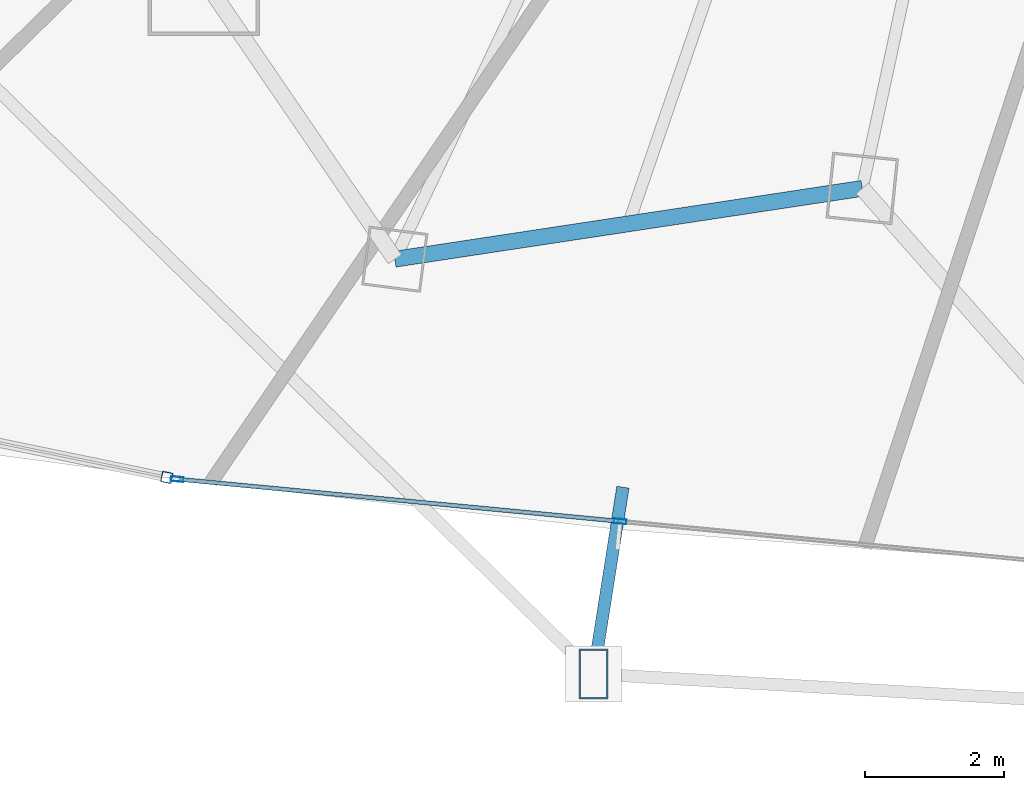
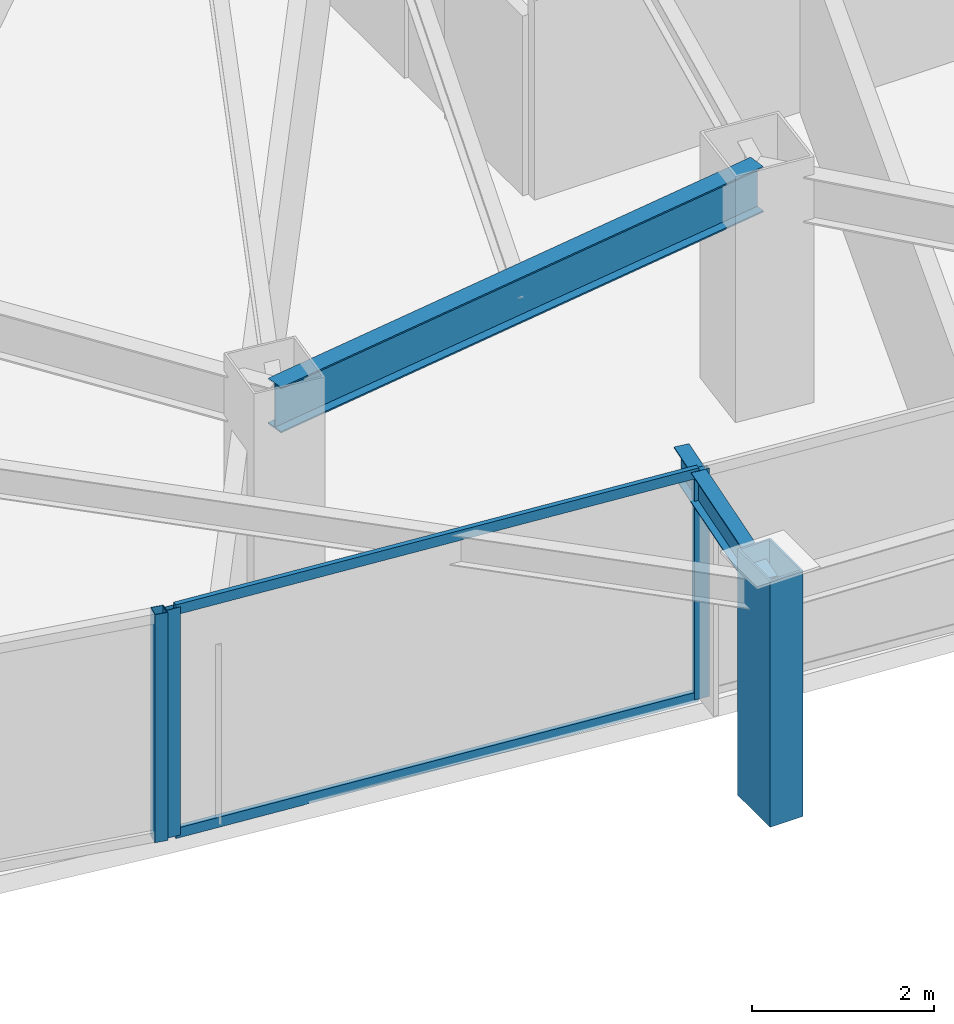
# One storey, part 4 of 33: 6 members, 2 beams, 2 elements without a shape of their own.
"""IFC4 building model written with IfcOpenShell, lengths in metres."""

from ifc_helpers import new_model, si_unit, direction, frame, origin, origin_2d, place, context, subcontext, project, spatial, hollow_rectangle, i_section, extrude, material, layer, layer_set, material_profile, profile_set, type_object, element, aggregate, save


model = new_model("IFC4")

# Units and contexts
model_context = context("Model", 3, precision=1e-05, world=origin(), true_north=direction((0.0, 1.0)))
body_context = subcontext(model_context, "Body", "Model", "MODEL_VIEW")
ifc_project = project(units=[si_unit("LENGTHUNIT", "METRE"), si_unit("AREAUNIT", "SQUARE_METRE"), si_unit("VOLUMEUNIT", "CUBIC_METRE"), si_unit("PLANEANGLEUNIT", "RADIAN"), si_unit("MASSUNIT", "GRAM", prefix="KILO")], contexts=[model_context])

# Site, building, storey
site_placement = place(None, origin())
site = spatial("IfcSite", under=ifc_project, at=site_placement, CompositionType="ELEMENT")
building_placement = place(site_placement, origin())
building = spatial("IfcBuilding", under=site, at=building_placement, Name="Orvanel Arch Residences", CompositionType="ELEMENT")
storey_placement = place(building_placement, frame((0.0, 0.0, 70.85009765625)))
storey = spatial("IfcBuildingStorey", under=building, at=storey_placement, Name="L19", CompositionType="ELEMENT", Elevation=70.85009765625)

# Member
ifc_material_1 = material(Name="Structural steel AS/NZS 3678 Grade 350", Category="steel")
ifc_material_profile_1 = material_profile(ifc_material_1, hollow_rectangle(XDim=0.419921875, YDim=0.719970703125, WallThickness=0.02490234375, at=origin_2d()), Name="RHS720x420x25")
ifc_profile_set_1 = profile_set([ifc_material_profile_1], Name="Structural steel AS/NZS 3678 Grade 350")
member_type_1 = type_object("IfcMemberType", Name="CH-720RHS-EXT", PredefinedType="CHORD", material=ifc_profile_set_1)
member_1_placement = place(storey_placement, frame((19.7919921875, 0.385986328125, 0.0), z_axis=(0.0, 0.0, 1.0), x_axis=(1.0, 0.0, 0.0)))
element("IfcMember", 1, at=member_1_placement, inside=storey, type_object=member_type_1, Name="L19 Outer Perimeter Frame Post 05", PredefinedType="CHORD", context=body_context, shape_type="SweptSolid", body=[
    extrude(hollow_rectangle(XDim=0.419921875, YDim=0.719970703125, WallThickness=0.02490234375, at=origin_2d()), origin(), (0.0, 0.0, 1.0), 3.2998046875),
])

# Curtain wall, member
ifc_material_2 = material(Name="Bronze-anodised aluminium AA6063-T6", Category="aluminium")
ifc_layer_1 = layer(ifc_material_2, 0.18994140625)
ifc_layer_set_1 = layer_set([ifc_layer_1], Name="Bronze-anodised aluminium AA6063-T6")
curtain_wall_type_1 = type_object("IfcCurtainWallType", Name="CW5-CRN-SYS", PredefinedType="NOTDEFINED", material=ifc_layer_set_1)
curtain_wall_1_placement = place(storey_placement, origin())
curtain_wall_1 = element("IfcCurtainWall", 2, at=curtain_wall_1_placement, inside=storey, type_object=curtain_wall_type_1, Name="L19 CW5-CRN-SYS Unitised Curtain Wall", PredefinedType="NOTDEFINED")
ifc_material_profile_2 = material_profile(ifc_material_2, hollow_rectangle(XDim=0.14990234375, YDim=0.14990234375, WallThickness=0.0048828125, at=origin_2d()), Name="ALU150x150x5")
ifc_profile_set_2 = profile_set([ifc_material_profile_2], Name="Bronze-anodised aluminium AA6063-T6")
member_type_2 = type_object("IfcMemberType", Name="MUL-150x150", PredefinedType="MULLION", material=ifc_profile_set_2)
member_2_placement = place(storey_placement, frame((13.66748046875, 3.207275390625, 0.0), z_axis=(0.0, 0.0, 1.0), x_axis=(0.202301523353, 0.979323283522, 0.0)))
member_2 = element("IfcMember", 3, at=member_2_placement, type_object=member_type_2, Name="CW-S5 mullion 3", PredefinedType="MULLION", context=body_context, shape_type="SweptSolid", body=[
    extrude(hollow_rectangle(XDim=0.14990234375, YDim=0.14990234375, WallThickness=0.0048828125, at=origin_2d()), origin(), (0.0, 0.0, 1.0), 3.059814453125),
])
aggregate(curtain_wall_1, [member_2])

# Curtain wall, members
ifc_layer_2 = layer(ifc_material_2, 0.179931640625)
ifc_layer_set_2 = layer_set([ifc_layer_2], Name="Bronze-anodised aluminium AA6063-T6")
curtain_wall_type_2 = type_object("IfcCurtainWallType", Name="CW2-LOW-SYS", PredefinedType="NOTDEFINED", material=ifc_layer_set_2)
curtain_wall_2_placement = place(storey_placement, origin())
curtain_wall_2 = element("IfcCurtainWall", 4, at=curtain_wall_2_placement, inside=storey, type_object=curtain_wall_type_2, Name="L19 CW2-LOW-SYS Unitised Curtain Wall", PredefinedType="NOTDEFINED")
ifc_material_profile_3 = material_profile(ifc_material_2, hollow_rectangle(XDim=0.070068359375, YDim=0.179931640625, WallThickness=0.00439453125, at=origin_2d()), Name="ALU180x70x4.5")
ifc_profile_set_3 = profile_set([ifc_material_profile_3], Name="Bronze-anodised aluminium AA6063-T6")
member_type_3 = type_object("IfcMemberType", Name="MUL-180x70", PredefinedType="MULLION", material=ifc_profile_set_3)
member_3_placement = place(storey_placement, frame((13.81591796875, 3.1826171875, 0.0), z_axis=(0.0, 0.0, 1.0), x_axis=(0.094831137816, 0.995493372806, 0.0)))
member_3 = element("IfcMember", 5, at=member_3_placement, type_object=member_type_3, Name="CW-S2 mullion 1", PredefinedType="MULLION", context=body_context, shape_type="SweptSolid", body=[
    extrude(hollow_rectangle(XDim=0.070068359375, YDim=0.179931640625, WallThickness=0.00439453125, at=origin_2d()), origin(), (0.0, 0.0, 1.0), 3.059814453125),
])
member_4_placement = place(storey_placement, frame((20.174072265625, 2.576904296875, 0.0), z_axis=(0.0, 0.0, 1.0), x_axis=(0.094831137816, 0.995493372806, 0.0)))
member_4 = element("IfcMember", 6, at=member_4_placement, type_object=member_type_3, Name="CW-S2 mullion 2", PredefinedType="MULLION", context=body_context, shape_type="SweptSolid", body=[
    extrude(hollow_rectangle(XDim=0.070068359375, YDim=0.179931640625, WallThickness=0.00439453125, at=origin_2d()), origin(), (0.0, 0.0, 1.0), 3.059814453125),
])

# Beams
ifc_material_3 = material(Name="Structural steel AS/NZS 3679.1 Grade 300 (300 MPa)", Category="steel")
ifc_material_profile_4 = material_profile(ifc_material_3, i_section(OverallWidth=0.177978515625, OverallDepth=0.406005859375, WebThickness=0.0078125, FlangeThickness=0.0126953125, at=origin_2d()), Name="410UB59.7")
ifc_profile_set_4 = profile_set([ifc_material_profile_4], Name="Structural steel AS/NZS 3679.1 Grade 300 (300 MPa)")
beam_type_1 = type_object("IfcBeamType", Name="OB-410UB-EXT", PredefinedType="SPANDREL", material=ifc_profile_set_4)
beam_1_placement = place(storey_placement, frame((20.214111328125, 3.06689453125, 2.85693359375), z_axis=(-0.155537567762, -0.987829977787, 0.0), x_axis=(0.987829977787, -0.155537567762, 0.0)))
element("IfcBeam", 7, at=beam_1_placement, inside=storey, type_object=beam_type_1, Name="L19 Outer Frame Radial Tie Beam 05", PredefinedType="SPANDREL", context=body_context, shape_type="SweptSolid", body=[
    extrude(i_section(OverallWidth=0.177978515625, OverallDepth=0.406005859375, WebThickness=0.0078125, FlangeThickness=0.0126953125, at=origin_2d()), origin(), (0.0, 0.0, 1.0), 2.7138671875),
])
ifc_material_profile_5 = material_profile(ifc_material_3, i_section(OverallWidth=0.22900390625, OverallDepth=0.612060546875, WebThickness=0.011962890625, FlangeThickness=0.01953125, at=origin_2d()), Name="610UB125")
ifc_profile_set_5 = profile_set([ifc_material_profile_5], Name="Structural steel AS/NZS 3679.1 Grade 300 (300 MPa)")
beam_type_2 = type_object("IfcBeamType", Name="SP-610UB", PredefinedType="SPANDREL", material=ifc_profile_set_5)
beam_2_placement = place(storey_placement, frame((16.94091796875, 6.339111328125, 2.75390625), z_axis=(0.988726323014, 0.149733958002, 0.0), x_axis=(-0.149733958002, 0.988726323014, 0.0)))
element("IfcBeam", 8, at=beam_2_placement, inside=storey, type_object=beam_type_2, Name="L19 Perimeter Spandrel Beam 04", PredefinedType="SPANDREL", context=body_context, shape_type="SweptSolid", body=[
    extrude(i_section(OverallWidth=0.22900390625, OverallDepth=0.612060546875, WebThickness=0.011962890625, FlangeThickness=0.01953125, at=origin_2d()), origin(), (0.0, 0.0, 1.0), 6.784423828125),
])

# Member
ifc_material_profile_6 = material_profile(ifc_material_2, hollow_rectangle(XDim=0.06005859375, YDim=0.135009765625, WallThickness=0.00390625, at=origin_2d()), Name="ALU135x60x4")
ifc_profile_set_6 = profile_set([ifc_material_profile_6], Name="Bronze-anodised aluminium AA6063-T6")
member_type_4 = type_object("IfcMemberType", Name="TRN-135x60", PredefinedType="USERDEFINED", material=ifc_profile_set_6)
member_5_placement = place(storey_placement, frame((13.8505859375, 3.179443359375, 0.02978515625), z_axis=(0.995492345482, -0.09484192157, 0.0), x_axis=(0.09484192157, 0.995492345482, 0.0)))
member_5 = element("IfcMember", 9, at=member_5_placement, type_object=member_type_4, Name="CW-S2 transom 1.1", ObjectType="TRANSOM", PredefinedType="USERDEFINED", context=body_context, shape_type="SweptSolid", body=[
    extrude(hollow_rectangle(XDim=0.06005859375, YDim=0.135009765625, WallThickness=0.00390625, at=origin_2d()), origin(), (0.0, 0.0, 1.0), 6.317138671875),
])

member_6_placement = place(storey_placement, frame((13.8505859375, 3.179443359375, 3.02978515625), z_axis=(0.995492345482, -0.09484192157, 0.0), x_axis=(0.09484192157, 0.995492345482, 0.0)))
member_6 = element("IfcMember", 10, at=member_6_placement, type_object=member_type_4, Name="CW-S2 transom 1.2", ObjectType="TRANSOM", PredefinedType="USERDEFINED", context=body_context, shape_type="SweptSolid", body=[
    extrude(hollow_rectangle(XDim=0.06005859375, YDim=0.135009765625, WallThickness=0.00390625, at=origin_2d()), origin(), (0.0, 0.0, 1.0), 6.317138671875),
])

aggregate(curtain_wall_2, [member_3, member_4, member_5, member_6])

save(model, "model.ifc")
